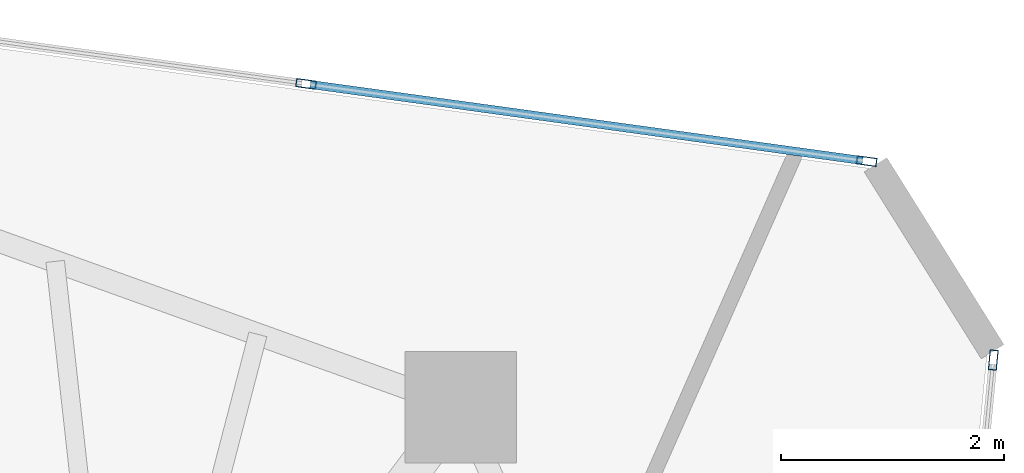
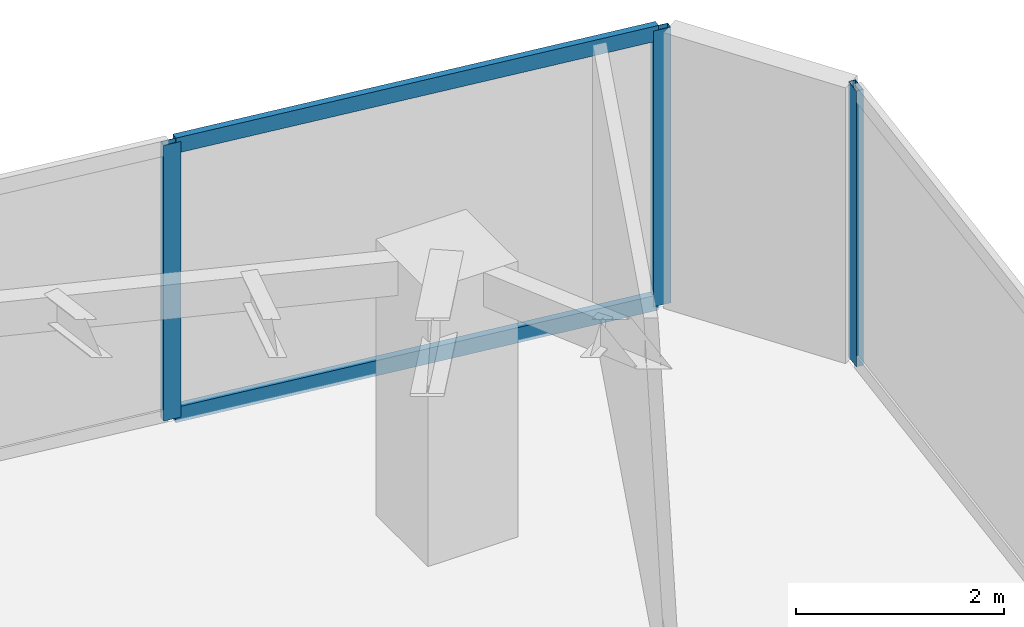
# One storey, part 15 of 21: 5 members, 2 elements without a shape of their own.
"""IFC4 building model written with IfcOpenShell, lengths in metres."""

from ifc_helpers import new_model, si_unit, direction, frame, origin, origin_2d, place, context, subcontext, project, spatial, hollow_rectangle, extrude, source, transform, mapped, material, layer, layer_set, material_profile, profile_set, type_object, type_shapes, element, aggregate, save


model = new_model("IFC4")

# Units and contexts
model_context = context("Model", 3, precision=1e-05, world=origin(), true_north=direction((0.0, 1.0)))
body_context = subcontext(model_context, "Body", "Model", "MODEL_VIEW")
ifc_project = project(units=[si_unit("LENGTHUNIT", "METRE"), si_unit("AREAUNIT", "SQUARE_METRE"), si_unit("VOLUMEUNIT", "CUBIC_METRE"), si_unit("PLANEANGLEUNIT", "RADIAN"), si_unit("MASSUNIT", "GRAM", prefix="KILO")], contexts=[model_context])

# Site, building, storey
site_placement = place(None, origin())
site = spatial("IfcSite", under=ifc_project, at=site_placement, CompositionType="ELEMENT")
building_placement = place(site_placement, origin())
building = spatial("IfcBuilding", under=site, at=building_placement, Name="Talar Marvaseh", CompositionType="ELEMENT")
storey_placement = place(building_placement, frame((0.0, 0.0, 225.699951171875)))
storey = spatial("IfcBuildingStorey", under=building, at=storey_placement, Name="L59", CompositionType="ELEMENT", Elevation=225.699951171875)

# Curtain wall, members
ifc_material = material(Name="Architectural Aluminium", Category="aluminium")
ifc_layer = layer(ifc_material, 0.18994140625)
ifc_layer_set = layer_set([ifc_layer], Name="Architectural Aluminium")
curtain_wall_type = type_object("IfcCurtainWallType", Name="Unitised Solar Atelier Curtain Wall Z3", PredefinedType="NOTDEFINED", material=ifc_layer_set)
curtain_wall_1_placement = place(storey_placement, origin())
curtain_wall_1 = element("IfcCurtainWall", 1, at=curtain_wall_1_placement, inside=storey, type_object=curtain_wall_type, Name="L59 Unitised Solar Atelier Curtain Wall Z3", PredefinedType="NOTDEFINED")
ifc_material_profile_1 = material_profile(ifc_material, hollow_rectangle(XDim=0.074951171875, YDim=0.179931640625, WallThickness=0.0048828125, at=origin_2d()), Name="RHS180x75x5")
ifc_profile_set_1 = profile_set([ifc_material_profile_1], Name="Architectural Aluminium")
member_type_1 = type_object("IfcMemberType", Name="Unitised Curtain Wall Standard Mullion RHS180x75x5", PredefinedType="MULLION", material=ifc_profile_set_1)
shared_shape_1 = source(origin(), body_context, "Body", "SweptSolid", [
    extrude(hollow_rectangle(XDim=0.074951171875, YDim=0.179931640625, WallThickness=0.0048828125, at=origin_2d()), origin(), (0.0, 0.0, 1.0), 3.22998046875),
])
type_shapes(member_type_1, [shared_shape_1])
member_1_placement = place(storey_placement, frame((34.954833984375, 43.84228515625, 0.0), z_axis=(0.0, 0.0, 1.0), x_axis=(0.136514738392, 0.990638039953, 0.0)))
member_1 = element("IfcMember", 2, at=member_1_placement, type_object=member_type_1, Name="CW-Z3 mullion 3", PredefinedType="MULLION", context=body_context, shape_type="MappedRepresentation", body=[
    mapped(shared_shape_1, transform((0.0, 0.0, 0.0), x_axis=(1.0, 0.0, 0.0), y_axis=(0.0, 1.0, 0.0), z_axis=(0.0, 0.0, 1.0), scale=1.0)),
])
member_2_placement = place(storey_placement, frame((39.98291015625, 43.1494140625, 0.0), z_axis=(0.0, 0.0, 1.0), x_axis=(0.136514738392, 0.990638039953, 0.0)))
member_2 = element("IfcMember", 3, at=member_2_placement, type_object=member_type_1, Name="CW-Z3 mullion 4", PredefinedType="MULLION", context=body_context, shape_type="MappedRepresentation", body=[
    mapped(shared_shape_1, transform((0.0, 0.0, 0.0), x_axis=(1.0, 0.0, 0.0), y_axis=(0.0, 1.0, 0.0), z_axis=(0.0, 0.0, 1.0), scale=1.0)),
])

# Curtain wall, member
curtain_wall_2_placement = place(storey_placement, origin())
curtain_wall_2 = element("IfcCurtainWall", 4, at=curtain_wall_2_placement, inside=storey, type_object=curtain_wall_type, Name="L59 Unitised Solar Atelier Curtain Wall Z3", PredefinedType="NOTDEFINED")
member_3_placement = place(storey_placement, frame((41.1181640625, 41.365966796875, 0.0), z_axis=(0.0, 0.0, 1.0), x_axis=(0.995381660069, -0.095996618681, 0.0)))
member_3 = element("IfcMember", 5, at=member_3_placement, type_object=member_type_1, Name="CW-Z3 mullion 1", PredefinedType="MULLION", context=body_context, shape_type="MappedRepresentation", body=[
    mapped(shared_shape_1, transform((0.0, 0.0, 0.0), x_axis=(1.0, 0.0, 0.0), y_axis=(0.0, 1.0, 0.0), z_axis=(0.0, 0.0, 1.0), scale=1.0)),
])
aggregate(curtain_wall_2, [member_3])

# Member
ifc_material_profile_2 = material_profile(ifc_material, hollow_rectangle(XDim=0.074951171875, YDim=0.179931640625, WallThickness=0.0048828125, at=origin_2d()), Name="RHS180x75x5")
ifc_profile_set_2 = profile_set([ifc_material_profile_2], Name="Architectural Aluminium")
member_type_2 = type_object("IfcMemberType", Name="Unitised Curtain Wall Transom RHS180x75x5", PredefinedType="USERDEFINED", material=ifc_profile_set_2)
shared_shape_2 = source(origin(), body_context, "Body", "SweptSolid", [
    extrude(hollow_rectangle(XDim=0.074951171875, YDim=0.179931640625, WallThickness=0.0048828125, at=origin_2d()), origin(), (0.0, 0.0, 1.0), 5.000732421875),
])
type_shapes(member_type_2, [shared_shape_2])
member_4_placement = place(storey_placement, frame((34.991943359375, 43.837158203125, 0.03759765625), z_axis=(0.990639350201, -0.136505230061, 0.0), x_axis=(0.136505230061, 0.990639350201, 0.0)))
member_4 = element("IfcMember", 6, at=member_4_placement, type_object=member_type_2, Name="CW-Z3 transom 3.1", ObjectType="TRANSOM", PredefinedType="USERDEFINED", context=body_context, shape_type="MappedRepresentation", body=[
    mapped(shared_shape_2, transform((0.0, 0.0, 0.0), x_axis=(1.0, 0.0, 0.0), y_axis=(0.0, 1.0, 0.0), z_axis=(0.0, 0.0, 1.0), scale=1.0)),
])

member_5_placement = place(storey_placement, frame((34.991943359375, 43.837158203125, 3.192626953125), z_axis=(0.990639350201, -0.136505230061, 0.0), x_axis=(0.136505230061, 0.990639350201, 0.0)))
member_5 = element("IfcMember", 7, at=member_5_placement, type_object=member_type_2, Name="CW-Z3 transom 3.2", ObjectType="TRANSOM", PredefinedType="USERDEFINED", context=body_context, shape_type="MappedRepresentation", body=[
    mapped(shared_shape_2, transform((0.0, 0.0, 0.0), x_axis=(1.0, 0.0, 0.0), y_axis=(0.0, 1.0, 0.0), z_axis=(0.0, 0.0, 1.0), scale=1.0)),
])

aggregate(curtain_wall_1, [member_1, member_2, member_4, member_5])

save(model, "model.ifc")
